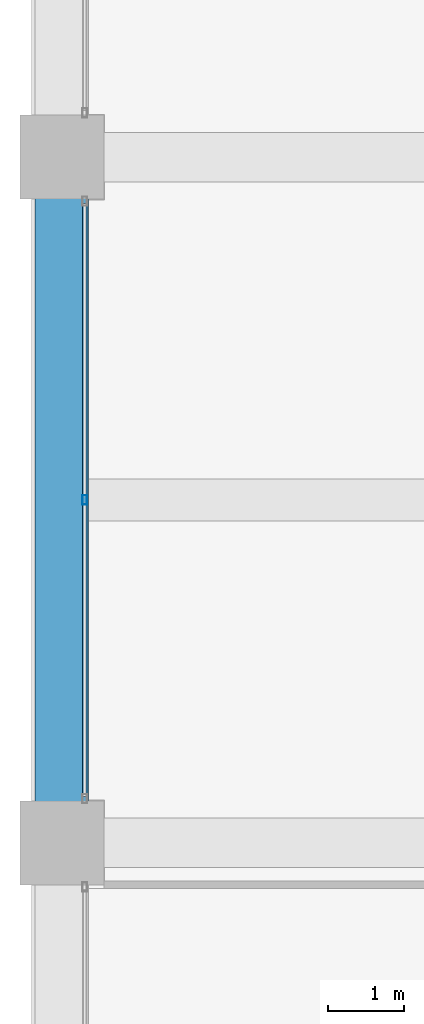
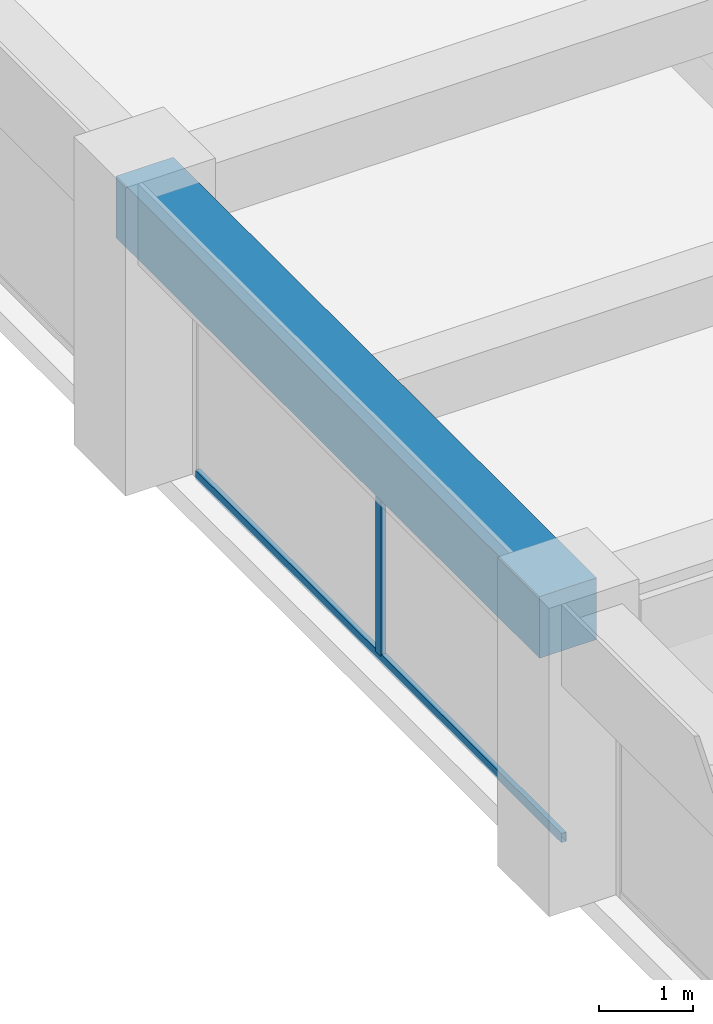
# One storey, part 14 of 44: 2 members, 1 beam, 1 element without a shape of its own.
"""IFC4 building model written with IfcOpenShell, lengths in metres."""

import ifcopenshell
import ifcopenshell.guid

model = None  # the IFC model being written
_history = None  # IfcOwnerHistory: only IFC2X3 demands one
_inside = {}  # id of a spatial element -> (the spatial element, [elements in it])
_under = {}  # id of a project, library or spatial element -> (it, [spatial elements below it])
_declared = {}  # id of a project -> (the project, [libraries it declares])
_typed = {}  # id of a type object -> (the type object, [elements of that type])
_made_of = {}  # id of a material, layer set ... -> (it, [elements and type objects made of it])


def new_model(schema):
    """Start an empty IFC model of exactly this schema.

    Asked for "IFC4X3", IfcOpenShell would pick the latest addendum, in which some entities
    have other attributes; the version numbers below select the first issue.
    IFC2X3 requires an IfcOwnerHistory on every rooted entity: one is made here for all.
    """
    global model, _history
    if schema == "IFC4X3":
        model = ifcopenshell.file(schema_version=(4, 3, 0, 0))
    else:
        model = ifcopenshell.file(schema=schema)
    _inside.clear()
    _under.clear()
    _declared.clear()
    _typed.clear()
    _made_of.clear()
    _history = None
    if model.schema == "IFC2X3":
        org = make("IfcOrganization", Name="unknown")
        user = make(
            "IfcPersonAndOrganization",
            ThePerson=make("IfcPerson", FamilyName="unknown"),
            TheOrganization=org,
        )
        app = make(
            "IfcApplication",
            ApplicationDeveloper=org,
            Version="unknown",
            ApplicationFullName="unknown",
            ApplicationIdentifier="unknown",
        )
        _history = make(
            "IfcOwnerHistory",
            OwningUser=user,
            OwningApplication=app,
            ChangeAction="ADDED",
            CreationDate=0,
        )
    return model


def make(cls, **values):
    """One entity of the class cls with the attributes given. An attribute that is None is left unset."""
    return model.create_entity(
        cls, **{name: value for name, value in values.items() if value is not None}
    )


def rooted(cls, **values):
    """An entity with a GlobalId (a new one), such as an element, a storey or a relation."""
    return make(cls, GlobalId=ifcopenshell.guid.new(), OwnerHistory=_history, **values)


def si_unit(unit_type, name, prefix=None):
    """IfcSIUnit, for example si_unit("LENGTHUNIT", "METRE", prefix="MILLI")."""
    return make("IfcSIUnit", UnitType=unit_type, Prefix=prefix, Name=name)


def assignment(units):
    """IfcUnitAssignment: the units of a project."""
    return None if units is None else make("IfcUnitAssignment", Units=units)


def point(xyz):
    """IfcCartesianPoint."""
    return None if xyz is None else make("IfcCartesianPoint", Coordinates=xyz)


def direction(xyz):
    """IfcDirection."""
    return None if xyz is None else make("IfcDirection", DirectionRatios=xyz)


def frame(location, z_axis=None, x_axis=None):
    """IfcAxis2Placement3D, a coordinate frame: its origin and axes. An axis left out is left unset."""
    return make(
        "IfcAxis2Placement3D",
        Location=point(location),
        Axis=direction(z_axis),
        RefDirection=direction(x_axis),
    )


def frame_2d(location, x_axis=None):
    """IfcAxis2Placement2D, a coordinate frame in the plane: its origin and x axis."""
    return make(
        "IfcAxis2Placement2D", Location=point(location), RefDirection=direction(x_axis)
    )


def origin():
    """The frame at (0, 0, 0) with its axes left unset."""
    return frame((0.0, 0.0, 0.0))


def origin_2d():
    """The frame at (0, 0) in the plane with its x axis left unset."""
    return frame_2d((0.0, 0.0))


def place(relative_to, where):
    """IfcLocalPlacement: puts the frame where relative to a parent placement (None: the world)."""
    return make(
        "IfcLocalPlacement", PlacementRelTo=relative_to, RelativePlacement=where
    )


def context(
    kind, dimensions, precision=None, world=None, true_north=None, identifier=None
):
    """IfcGeometricRepresentationContext, for example the 3D "Model" context."""
    return make(
        "IfcGeometricRepresentationContext",
        ContextIdentifier=identifier,
        ContextType=kind,
        CoordinateSpaceDimension=dimensions,
        Precision=precision,
        WorldCoordinateSystem=world,
        TrueNorth=true_north,
    )


def subcontext(parent, identifier, kind, view, scale=None):
    """IfcGeometricRepresentationSubContext, for example "Body" below "Model"."""
    return make(
        "IfcGeometricRepresentationSubContext",
        ContextIdentifier=identifier,
        ContextType=kind,
        ParentContext=parent,
        TargetScale=scale,
        TargetView=view,
    )


def project(units=None, contexts=None):
    """IfcProject with its units and contexts."""
    return rooted(
        "IfcProject",
        Name="project",
        RepresentationContexts=contexts,
        UnitsInContext=assignment(units),
    )


def spatial(cls, under=None, at=None, **own):
    """A site, building, storey or space (cls), placed at a placement, below another one or the project."""
    s = rooted(cls, ObjectPlacement=at, **own)
    if under is not None:
        _under.setdefault(under.id(), (under, []))[1].append(s)
    return s


def profile(cls, at=None, kind="AREA", **sizes):
    """A parametric profile (cls). Its sizes go by their IFC names, for example OverallWidth=200.0."""
    return make(cls, ProfileType=kind, Position=at, **sizes)


def rectangle(**sizes):
    """IfcRectangleProfileDef."""
    return profile("IfcRectangleProfileDef", **sizes)


def hollow_rectangle(**sizes):
    """IfcRectangleHollowProfileDef."""
    return profile("IfcRectangleHollowProfileDef", **sizes)


def extrude(swept, where, along, depth):
    """IfcExtrudedAreaSolid: the profile swept, set in the frame where, extruded along a direction by depth."""
    return make(
        "IfcExtrudedAreaSolid",
        SweptArea=swept,
        Position=where,
        ExtrudedDirection=direction(along),
        Depth=depth,
    )


def shape(context_of_items, identifier, shape_type, items):
    """IfcShapeRepresentation: the items that make up one representation, for example the "Body"."""
    return make(
        "IfcShapeRepresentation",
        ContextOfItems=context_of_items,
        RepresentationIdentifier=identifier,
        RepresentationType=shape_type,
        Items=items,
    )


def material(Name=None, Category=None):
    """IfcMaterial."""
    return make("IfcMaterial", Name=Name, Category=Category)


def material_profile(
    of_material, cross_section, Name=None, Category=None, Priority=None
):
    """IfcMaterialProfile: a cross section and its material."""
    return make(
        "IfcMaterialProfile",
        Name=Name,
        Material=of_material,
        Profile=cross_section,
        Priority=Priority,
        Category=Category,
    )


def profile_set(profiles, Name=None, composite=None):
    """IfcMaterialProfileSet."""
    return make(
        "IfcMaterialProfileSet",
        Name=Name,
        MaterialProfiles=profiles,
        CompositeProfile=composite,
    )


def made_of(thing, what):
    """Note that an element or type object is made of a material, layer set ...; save() writes the relation."""
    if what is not None:
        _made_of.setdefault(what.id(), (what, []))[1].append(thing)
    return thing


def type_object(cls, material=None, **own):
    """A type object (cls), such as IfcWallType, which elements share."""
    return made_of(rooted(cls, **own), material)


def element(
    cls,
    number,
    at=None,
    inside=None,
    cuts=None,
    type_object=None,
    material=None,
    context=None,
    identifier="Body",
    shape_type=None,
    held_by="IfcProductDefinitionShape",
    body=None,
    shapes=None,
    **own,
):
    """One element of the class cls, such as IfcWall. Its Tag is "e" and its number.

    at: its placement. inside: the storey or other place that contains it. cuts: it is an
    opening in that element (IfcRelVoidsElement). A single representation is given by context,
    identifier, shape_type and body (its items); several are given by shapes. held_by: the class
    of the entity that holds the representations. save() writes the other relations.
    """
    e = rooted(cls, Tag="e%d" % number, ObjectPlacement=at, **own)
    if body is not None:
        shapes = [shape(context, identifier, shape_type, body)]
    if shapes is not None:
        e.Representation = make(held_by, Representations=shapes)
    if inside is not None:
        _inside.setdefault(inside.id(), (inside, []))[1].append(e)
    if cuts is not None:
        rooted(
            "IfcRelVoidsElement", RelatingBuildingElement=cuts, RelatedOpeningElement=e
        )
    if type_object is not None:
        _typed.setdefault(type_object.id(), (type_object, []))[1].append(e)
    return made_of(e, material)


def aggregate(whole, parts):
    """IfcRelAggregates: a whole, such as a stair, and the parts it consists of."""
    return rooted("IfcRelAggregates", RelatingObject=whole, RelatedObjects=parts)


def save(model, path):
    """Write the relations noted so far, then the file.

    IfcRelAggregates (storeys below a building ...), IfcRelContainedInSpatialStructure (elements
    in a storey), IfcRelDefinesByType, IfcRelAssociatesMaterial and IfcRelDeclares: one each for
    every whole, place, type object, material and project.
    """
    for whole, parts in _under.values():
        aggregate(whole, parts)
    for where, things in _inside.values():
        rooted(
            "IfcRelContainedInSpatialStructure",
            RelatedElements=things,
            RelatingStructure=where,
        )
    for kind, things in _typed.values():
        rooted("IfcRelDefinesByType", RelatedObjects=things, RelatingType=kind)
    for what, things in _made_of.values():
        rooted("IfcRelAssociatesMaterial", RelatedObjects=things, RelatingMaterial=what)
    for by, libraries in _declared.values():
        rooted("IfcRelDeclares", RelatingContext=by, RelatedDefinitions=libraries)
    model.write(path)


model = new_model("IFC4")

# Units and contexts
model_context = context("Model", 3, precision=1e-05, world=origin(), true_north=direction((0.0, 1.0)))
body_context = subcontext(model_context, "Body", "Model", "MODEL_VIEW")
ifc_project = project(units=[si_unit("LENGTHUNIT", "METRE"), si_unit("AREAUNIT", "SQUARE_METRE"), si_unit("VOLUMEUNIT", "CUBIC_METRE"), si_unit("PLANEANGLEUNIT", "RADIAN"), si_unit("MASSUNIT", "GRAM", prefix="KILO")], contexts=[model_context])

# Site, building, storey
site_placement = place(None, origin())
site = spatial("IfcSite", under=ifc_project, at=site_placement, CompositionType="ELEMENT")
building_placement = place(site_placement, origin())
building = spatial("IfcBuilding", under=site, at=building_placement, Name="Zorevar Civic Tower", CompositionType="ELEMENT")
storey_placement = place(building_placement, frame((0.0, 0.0, 255.39990234375)))
storey = spatial("IfcBuildingStorey", under=building, at=storey_placement, Name="L62", CompositionType="ELEMENT", Elevation=255.39990234375)

# Curtain wall, members
ifc_material_1 = material(Name="Dark grey solar-control glass in black aluminium frame", Category="aluminium")
curtain_wall_type = type_object("IfcCurtainWallType", Name="Curtain wall CW5 top zone", PredefinedType="NOTDEFINED", material=ifc_material_1)
curtain_wall_placement = place(storey_placement, origin())
curtain_wall = element("IfcCurtainWall", 1, at=curtain_wall_placement, inside=storey, type_object=curtain_wall_type, Name="CW5 L62", PredefinedType="NOTDEFINED")
ifc_material_2 = material(Name="Aluminium, black anodised", Category="aluminium")
ifc_material_profile_1 = material_profile(ifc_material_2, hollow_rectangle(XDim=0.06005859375, YDim=0.1201171875, WallThickness=0.0029296875, at=origin_2d()), Name="AL 120x60x3")
ifc_profile_set_1 = profile_set([ifc_material_profile_1], Name="Aluminium, black anodised")
member_type_1 = type_object("IfcMemberType", Name="CW5 mullion AL 120x60x3", PredefinedType="MULLION", material=ifc_profile_set_1)
member_1_placement = place(storey_placement, frame((9.300048828125, 22.5, 0.06005859375), z_axis=(0.0, 0.0, 1.0), x_axis=(-1.0, 0.0, 0.0)))
member_1 = element("IfcMember", 2, at=member_1_placement, type_object=member_type_1, Name="CW5 mullion 2", PredefinedType="MULLION", context=body_context, shape_type="SweptSolid", body=[
    extrude(hollow_rectangle(XDim=0.06005859375, YDim=0.1201171875, WallThickness=0.0029296875, at=origin_2d()), origin(), (0.0, 0.0, 1.0), 2.89013671875),
])
ifc_material_3 = material(Name="Aluminium, black anodised", Category="aluminium")
ifc_material_profile_2 = material_profile(ifc_material_3, hollow_rectangle(XDim=0.06005859375, YDim=0.1201171875, WallThickness=0.0029296875, at=origin_2d()), Name="AL 120x60x3")
ifc_profile_set_2 = profile_set([ifc_material_profile_2], Name="Aluminium, black anodised")
member_type_2 = type_object("IfcMemberType", Name="CW5 transom AL 120x60x3", PredefinedType="USERDEFINED", material=ifc_profile_set_2)
member_2_placement = place(storey_placement, frame((9.300048828125, 18.610107421875, 0.030029296875), z_axis=(0.0, 1.0, 0.0), x_axis=(-1.0, 0.0, 0.0)))
member_2 = element("IfcMember", 3, at=member_2_placement, type_object=member_type_2, Name="CW5 sill transom", ObjectType="TRANSOM", PredefinedType="USERDEFINED", context=body_context, shape_type="SweptSolid", body=[
    extrude(hollow_rectangle(XDim=0.06005859375, YDim=0.1201171875, WallThickness=0.0029296875, at=origin_2d()), origin(), (0.0, 0.0, 1.0), 7.77978515625),
])
aggregate(curtain_wall, [member_1, member_2])

# Beam
ifc_material_4 = material(Name="Concrete C50/60", Category="concrete")
ifc_material_profile_3 = material_profile(ifc_material_4, rectangle(XDim=0.699951171875, YDim=0.800048828125, at=origin_2d()), Name="RC 700x800")
ifc_profile_set_3 = profile_set([ifc_material_profile_3], Name="Concrete C50/60")
beam_type = type_object("IfcBeamType", Name="Edge beam RC 700x800", PredefinedType="SPANDREL", material=ifc_profile_set_3)
beam_placement = place(storey_placement, frame((9.0, 18.0, 3.35009765625), z_axis=(0.0, 1.0, 0.0), x_axis=(-1.0, 0.0, 0.0)))
element("IfcBeam", 4, at=beam_placement, inside=storey, type_object=beam_type, Name="Edge beam L63", PredefinedType="SPANDREL", context=body_context, shape_type="SweptSolid", body=[
    extrude(rectangle(XDim=0.699951171875, YDim=0.800048828125, at=origin_2d()), origin(), (0.0, 0.0, 1.0), 9.0),
])

save(model, "model.ifc")
